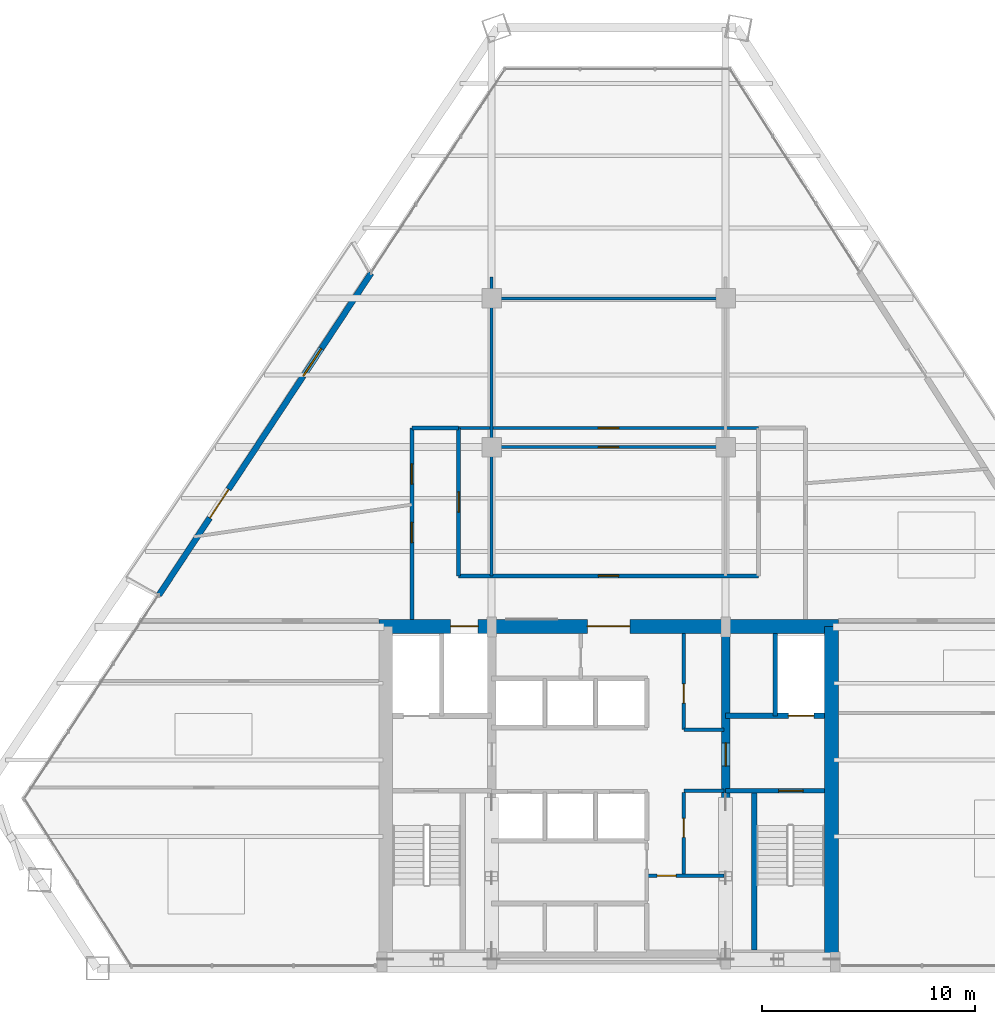
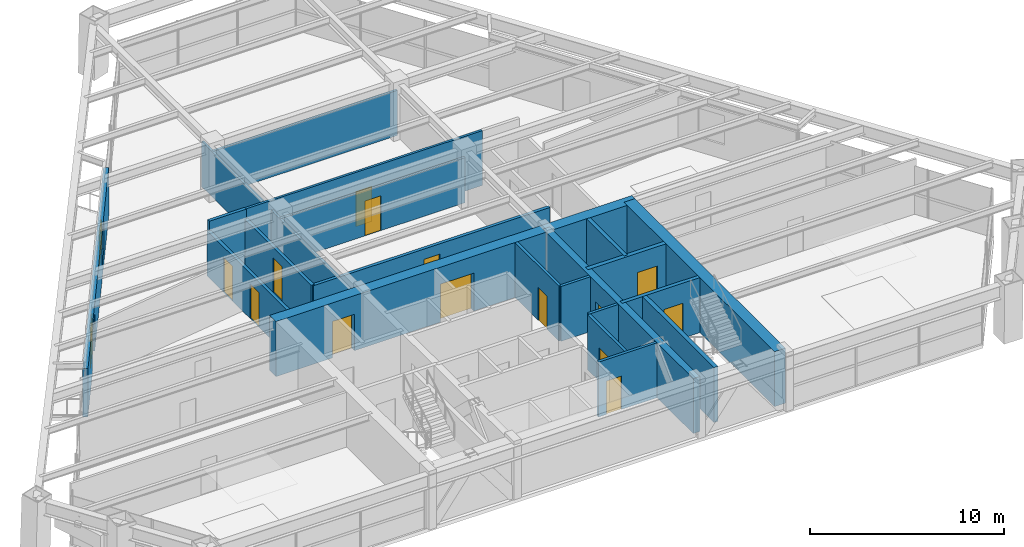
# One storey, part 11 of 14: 21 walls, 15 doors, 1 window, 16 openings.
"""IFC4 building model written with IfcOpenShell, lengths in metres."""

from ifc_helpers import new_model, si_unit, direction, frame, frame_2d, origin, place, context, subcontext, project, spatial, rectangle, extrude, source, transform, mapped, material, layer, layer_set, type_object, type_shapes, element, fill, save


model = new_model("IFC4")

# Units and contexts
model_context = context("Model", 3, precision=1e-05, world=origin(), true_north=direction((0.0, 1.0)))
body_context = subcontext(model_context, "Body", "Model", "MODEL_VIEW")
ifc_project = project(units=[si_unit("LENGTHUNIT", "METRE"), si_unit("AREAUNIT", "SQUARE_METRE"), si_unit("VOLUMEUNIT", "CUBIC_METRE"), si_unit("PLANEANGLEUNIT", "RADIAN"), si_unit("MASSUNIT", "GRAM", prefix="KILO")], contexts=[model_context])

# Site, building, storey
site_placement = place(None, origin())
site = spatial("IfcSite", under=ifc_project, at=site_placement, CompositionType="ELEMENT")
building_placement = place(site_placement, origin())
building = spatial("IfcBuilding", under=site, at=building_placement, Name="Varnakhor Terracotta Tower", CompositionType="ELEMENT")
storey_placement = place(building_placement, frame((0.0, 0.0, 125.60009765625)))
storey = spatial("IfcBuildingStorey", under=building, at=storey_placement, Name="L31", CompositionType="ELEMENT", Elevation=125.60009765625)

# Wall, openings, doors
ifc_material_1 = material(Name="Concrete C50/60", Category="concrete")
ifc_layer_1 = layer(ifc_material_1, 0.64990234375, Name="Concrete C50/60")
ifc_layer_set_1 = layer_set([ifc_layer_1], Name="Concrete C50/60")
wall_type_1 = type_object("IfcWallType", Name="WAL-CORE-650", PredefinedType="SHEAR", material=ifc_layer_set_1)
wall_1_placement = place(storey_placement, frame((-10.800048828125, 16.074951171875, 0.0), z_axis=(0.0, 0.0, 1.0), x_axis=(1.0, 0.0, 0.0)))
wall_1 = element("IfcWall", 1, at=wall_1_placement, inside=storey, type_object=wall_type_1, Name="L31 North Core Shear Wall", PredefinedType="SHEAR", context=body_context, shape_type="SweptSolid", body=[
    extrude(rectangle(XDim=21.60009765625, YDim=0.64990234375, at=frame_2d((10.800048828125, 0.0))), origin(), (0.0, 0.0, 1.0), 3.469970703125),
])
opening_1_placement = place(wall_1_placement, frame((3.3701171875, 0.0, 0.0)))
opening_1 = element("IfcOpeningElement", 2, at=opening_1_placement, cuts=wall_1, Name="Opening LD-03", PredefinedType="OPENING", context=body_context, shape_type="SweptSolid", body=[
    extrude(rectangle(XDim=1.300048828125, YDim=2.300048828125, at=frame_2d((0.64990234375, 1.14990234375))), frame((0.0, 0.3349609375, 0.0), z_axis=(0.0, -1.0, 0.0), x_axis=(1.0, 0.0, 0.0)), (0.0, 0.0, 1.0), 0.669921875),
])
opening_2_placement = place(wall_1_placement, frame((9.800048828125, 0.0, 0.0)))
opening_2 = element("IfcOpeningElement", 3, at=opening_2_placement, cuts=wall_1, Name="Opening DR-32", PredefinedType="OPENING", context=body_context, shape_type="SweptSolid", body=[
    extrude(rectangle(XDim=2.0, YDim=2.39990234375, at=frame_2d((1.0, 1.199951171875))), frame((0.0, 0.3349609375, 0.0), z_axis=(0.0, -1.0, 0.0), x_axis=(1.0, 0.0, 0.0)), (0.0, 0.0, 1.0), 0.669921875),
])
ifc_material_2 = material(Name="Heavy-Duty Goods Sliding Lift Landing Door", Category="steel")
door_type_1 = type_object("IfcDoorType", Name="LD-SRV-1300X2300", OperationType="NOTDEFINED", PredefinedType="DOOR", material=ifc_material_2)
shared_shape_1 = source(origin(), body_context, "Body", "SweptSolid", [
    extrude(rectangle(XDim=1.300048828125, YDim=2.300048828125, at=frame_2d((0.64990234375, 1.14990234375))), frame((0.0, 0.02490234375, 0.0), z_axis=(0.0, -1.0, 0.0), x_axis=(1.0, 0.0, 0.0)), (0.0, 0.0, 1.0), 0.050048828125),
])
type_shapes(door_type_1, [shared_shape_1])
door_1_placement = place(opening_1_placement, origin())
door_1 = element("IfcDoor", 4, at=door_1_placement, inside=storey, type_object=door_type_1, Name="L31 Service Lift SVL-1 Landing Door", OperationType="SLIDING_TO_RIGHT", OverallHeight=2.300048828125, OverallWidth=1.300048828125, PredefinedType="DOOR", context=body_context, shape_type="MappedRepresentation", body=[
    mapped(shared_shape_1, transform((0.0, 0.0, 0.0), scale=1.0)),
])
fill(opening_1, door_1)
ifc_material_3 = material(Name="Acoustic Double Assembly Fire Door", Category="wood")
door_type_2 = type_object("IfcDoorType", Name="DR-HALL-2000X2400", OperationType="NOTDEFINED", PredefinedType="DOOR", material=ifc_material_3)
shared_shape_2 = source(origin(), body_context, "Body", "SweptSolid", [
    extrude(rectangle(XDim=2.0, YDim=2.39990234375, at=frame_2d((1.0, 1.199951171875))), frame((0.0, 0.02490234375, 0.0), z_axis=(0.0, -1.0, 0.0), x_axis=(1.0, 0.0, 0.0)), (0.0, 0.0, 1.0), 0.050048828125),
])
type_shapes(door_type_2, [shared_shape_2])
door_2_placement = place(opening_2_placement, origin())
door_2 = element("IfcDoor", 5, at=door_2_placement, inside=storey, type_object=door_type_2, Name="L31 Core Main Lobby Double Door", OperationType="DOUBLE_DOOR_SINGLE_SWING", OverallHeight=2.39990234375, OverallWidth=2.0, PredefinedType="DOOR", context=body_context, shape_type="MappedRepresentation", body=[
    mapped(shared_shape_2, transform((0.0, 0.0, 0.0), scale=1.0)),
])
fill(opening_2, door_2)

# Wall
wall_2_placement = place(storey_placement, frame((10.47509765625, 0.52490234375, 0.0), z_axis=(0.0, 0.0, 1.0), x_axis=(0.0, 1.0, 0.0)))
element("IfcWall", 6, at=wall_2_placement, inside=storey, type_object=wall_type_1, Name="L31 East Core Shear Wall", PredefinedType="SHEAR", context=body_context, shape_type="SweptSolid", body=[
    extrude(rectangle(XDim=15.550048828125, YDim=0.64990234375, at=frame_2d((7.77490234375, 0.0))), origin(), (0.0, 0.0, 1.0), 3.469970703125),
])

# Wall, opening, door
ifc_layer_2 = layer(ifc_material_1, 0.39990234375, Name="Concrete C50/60")
ifc_layer_set_2 = layer_set([ifc_layer_2], Name="Concrete C50/60")
wall_type_2 = type_object("IfcWallType", Name="WAL-CORE-WEB-400", PredefinedType="SHEAR", material=ifc_layer_set_2)
wall_3_placement = place(storey_placement, frame((5.5, 0.52490234375, 0.0), z_axis=(0.0, 0.0, 1.0), x_axis=(0.0, 1.0, 0.0)))
wall_3 = element("IfcWall", 7, at=wall_3_placement, inside=storey, type_object=wall_type_2, Name="L31 East Core Web Shear Wall", PredefinedType="SHEAR", context=body_context, shape_type="SweptSolid", body=[
    extrude(rectangle(XDim=15.550048828125, YDim=0.39990234375, at=frame_2d((7.77490234375, 0.0))), origin(), (0.0, 0.0, 1.0), 3.469970703125),
])
opening_3_placement = place(wall_3_placement, frame((8.97509765625, 0.0, 0.0)))
opening_3 = element("IfcOpeningElement", 8, at=opening_3_placement, cuts=wall_3, Name="Opening DR-25", PredefinedType="OPENING", context=body_context, shape_type="SweptSolid", body=[
    extrude(rectangle(XDim=1.10009765625, YDim=2.199951171875, at=frame_2d((0.550048828125, 1.10009765625))), frame((0.0, 0.2099609375, 0.0), z_axis=(0.0, -1.0, 0.0), x_axis=(1.0, 0.0, 0.0)), (0.0, 0.0, 1.0), 0.419921875),
])
ifc_material_4 = material(Name="Firefighting Lobby Self-Closing Fire Door", Category="steel")
door_type_3 = type_object("IfcDoorType", Name="DR-FFL-1100X2200", OperationType="NOTDEFINED", PredefinedType="DOOR", material=ifc_material_4)
shared_shape_3 = source(origin(), body_context, "Body", "SweptSolid", [
    extrude(rectangle(XDim=1.10009765625, YDim=2.199951171875, at=frame_2d((0.550048828125, 1.10009765625))), frame((0.0, 0.02490234375, 0.0), z_axis=(0.0, -1.0, 0.0), x_axis=(1.0, 0.0, 0.0)), (0.0, 0.0, 1.0), 0.050048828125),
])
type_shapes(door_type_3, [shared_shape_3])
door_3_placement = place(opening_3_placement, origin())
door_3 = element("IfcDoor", 9, at=door_3_placement, inside=storey, type_object=door_type_3, Name="L31 East Firefighting Lobby Door", OperationType="SINGLE_SWING_LEFT", OverallHeight=2.199951171875, OverallWidth=1.10009765625, PredefinedType="DOOR", context=body_context, shape_type="MappedRepresentation", body=[
    mapped(shared_shape_3, transform((0.0, 0.0, 0.0), scale=1.0)),
])
fill(opening_3, door_3)

ifc_material_5 = material(Name="Fire-Rated Gypsum Stud Partition", Category="gypsum")
ifc_layer_3 = layer(ifc_material_5, 0.18505859375, Name="Fire-Rated Gypsum Stud Partition")
ifc_layer_set_3 = layer_set([ifc_layer_3], Name="Fire-Rated Gypsum Stud Partition")
wall_type_3 = type_object("IfcWallType", Name="WAL-CORR-185", PredefinedType="PARTITIONING", material=ifc_layer_set_3)
wall_4_placement = place(storey_placement, frame((-7.050048828125, 18.449951171875, 0.0), z_axis=(0.0, 0.0, 1.0), x_axis=(1.0, 0.0, 0.0)))
wall_4 = element("IfcWall", 10, at=wall_4_placement, inside=storey, type_object=wall_type_3, Name="L31 Central Gallery Link Wall", PredefinedType="PARTITIONING", context=body_context, shape_type="SweptSolid", body=[
    extrude(rectangle(XDim=14.10009765625, YDim=0.18505859375, at=frame_2d((7.050048828125, 0.0))), origin(), (0.0, 0.0, 1.0), 2.845947265625),
])
opening_4_placement = place(wall_4_placement, frame((6.574951171875, 0.0, 0.0)))
opening_4 = element("IfcOpeningElement", 11, at=opening_4_placement, cuts=wall_4, Name="Opening DR-94", PredefinedType="OPENING", context=body_context, shape_type="SweptSolid", body=[
    extrude(rectangle(XDim=0.949951171875, YDim=2.199951171875, at=frame_2d((0.47509765625, 1.10009765625))), frame((0.0, 0.1025390625, 0.0), z_axis=(0.0, -1.0, 0.0), x_axis=(1.0, 0.0, 0.0)), (0.0, 0.0, 1.0), 0.205078125),
])
ifc_material_6 = material(Name="Acoustic Glazed-Vision Timber Office Door", Category="wood")
door_type_4 = type_object("IfcDoorType", Name="DR-OFF-950X2200", OperationType="NOTDEFINED", PredefinedType="DOOR", material=ifc_material_6)
shared_shape_4 = source(origin(), body_context, "Body", "SweptSolid", [
    extrude(rectangle(XDim=0.949951171875, YDim=2.199951171875, at=frame_2d((0.47509765625, 1.10009765625))), frame((0.0, 0.02490234375, 0.0), z_axis=(0.0, -1.0, 0.0), x_axis=(1.0, 0.0, 0.0)), (0.0, 0.0, 1.0), 0.050048828125),
])
type_shapes(door_type_4, [shared_shape_4])
door_4_placement = place(opening_4_placement, origin())
door_4 = element("IfcDoor", 12, at=door_4_placement, inside=storey, type_object=door_type_4, Name="L31 Center Suite Door", OperationType="SINGLE_SWING_LEFT", OverallHeight=2.199951171875, OverallWidth=0.949951171875, PredefinedType="DOOR", context=body_context, shape_type="MappedRepresentation", body=[
    mapped(shared_shape_4, transform((0.0, 0.0, 0.0), scale=1.0)),
])
fill(opening_4, door_4)

wall_5_placement = place(storey_placement, frame((-7.050048828125, 18.449951171875, 0.0), z_axis=(0.0, 0.0, 1.0), x_axis=(0.0, 1.0, 0.0)))
wall_5 = element("IfcWall", 13, at=wall_5_placement, inside=storey, type_object=wall_type_3, Name="L31 West Gallery Inner Wall", PredefinedType="PARTITIONING", context=body_context, shape_type="SweptSolid", body=[
    extrude(rectangle(XDim=6.949951171875, YDim=0.18505859375, at=frame_2d((3.47509765625, 0.0))), origin(), (0.0, 0.0, 1.0), 2.845947265625),
])
opening_5_placement = place(wall_5_placement, frame((3.0, 0.0, 0.0)))
opening_5 = element("IfcOpeningElement", 14, at=opening_5_placement, cuts=wall_5, Name="Opening DR-94", PredefinedType="OPENING", context=body_context, shape_type="SweptSolid", body=[
    extrude(rectangle(XDim=0.949951171875, YDim=2.199951171875, at=frame_2d((0.47509765625, 1.10009765625))), frame((0.0, 0.1025390625, 0.0), z_axis=(0.0, -1.0, 0.0), x_axis=(1.0, 0.0, 0.0)), (0.0, 0.0, 1.0), 0.205078125),
])
door_5_placement = place(opening_5_placement, origin())
door_5 = element("IfcDoor", 15, at=door_5_placement, inside=storey, type_object=door_type_4, Name="L31 Corporate Office W1 B10 Door", OperationType="SINGLE_SWING_RIGHT", OverallHeight=2.199951171875, OverallWidth=0.949951171875, PredefinedType="DOOR", context=body_context, shape_type="MappedRepresentation", body=[
    mapped(shared_shape_4, transform((0.0, 0.0, 0.0), scale=1.0)),
])
fill(opening_5, door_5)

# Wall, openings, doors
wall_6_placement = place(storey_placement, frame((-9.25, 16.39990234375, 0.0), z_axis=(0.0, 0.0, 1.0), x_axis=(0.0, 1.0, 0.0)))
wall_6 = element("IfcWall", 16, at=wall_6_placement, inside=storey, type_object=wall_type_3, Name="L31 West Gallery Outer Wall", PredefinedType="PARTITIONING", context=body_context, shape_type="SweptSolid", body=[
    extrude(rectangle(XDim=9.0, YDim=0.18505859375, at=frame_2d((4.5, 0.0))), origin(), (0.0, 0.0, 1.0), 2.845947265625),
])
opening_6_placement = place(wall_6_placement, frame((3.60888671875, 0.0, 0.0)))
opening_6 = element("IfcOpeningElement", 17, at=opening_6_placement, cuts=wall_6, Name="Opening DR-94", PredefinedType="OPENING", context=body_context, shape_type="SweptSolid", body=[
    extrude(rectangle(XDim=0.949951171875, YDim=2.199951171875, at=frame_2d((0.47509765625, 1.10009765625))), frame((0.0, 0.1025390625, 0.0), z_axis=(0.0, -1.0, 0.0), x_axis=(1.0, 0.0, 0.0)), (0.0, 0.0, 1.0), 0.205078125),
])
opening_7_placement = place(wall_6_placement, frame((6.3681640625, 0.0, 0.0)))
opening_7 = element("IfcOpeningElement", 18, at=opening_7_placement, cuts=wall_6, Name="Opening DR-94", PredefinedType="OPENING", context=body_context, shape_type="SweptSolid", body=[
    extrude(rectangle(XDim=0.949951171875, YDim=2.199951171875, at=frame_2d((0.47509765625, 1.10009765625))), frame((0.0, 0.1025390625, 0.0), z_axis=(0.0, -1.0, 0.0), x_axis=(1.0, 0.0, 0.0)), (0.0, 0.0, 1.0), 0.205078125),
])
door_6_placement = place(opening_6_placement, origin())
door_6 = element("IfcDoor", 19, at=door_6_placement, inside=storey, type_object=door_type_4, Name="L31 West Wing Door", OperationType="SINGLE_SWING_RIGHT", OverallHeight=2.199951171875, OverallWidth=0.949951171875, PredefinedType="DOOR", context=body_context, shape_type="MappedRepresentation", body=[
    mapped(shared_shape_4, transform((0.0, 0.0, 0.0), scale=1.0)),
])
fill(opening_6, door_6)
door_7_placement = place(opening_7_placement, origin())
door_7 = element("IfcDoor", 20, at=door_7_placement, inside=storey, type_object=door_type_4, Name="L31 Corporate Office W2 Door", OperationType="SINGLE_SWING_LEFT", OverallHeight=2.199951171875, OverallWidth=0.949951171875, PredefinedType="DOOR", context=body_context, shape_type="MappedRepresentation", body=[
    mapped(shared_shape_4, transform((0.0, 0.0, 0.0), scale=1.0)),
])
fill(opening_7, door_7)

# Wall
wall_7_placement = place(storey_placement, frame((-9.25, 25.39990234375, 0.0), z_axis=(0.0, 0.0, 1.0), x_axis=(1.0, 0.0, 0.0)))
element("IfcWall", 21, at=wall_7_placement, inside=storey, type_object=wall_type_3, Name="L31 West Gallery North End", PredefinedType="PARTITIONING", context=body_context, shape_type="SweptSolid", body=[
    extrude(rectangle(XDim=2.199951171875, YDim=0.18505859375, at=frame_2d((1.10009765625, 0.0))), origin(), (0.0, 0.0, 1.0), 3.4619140625),
])

# Wall, openings, door, window
ifc_material_7 = material(Name="Extruded Architectural Terracotta Assembly", Category="masonry")
ifc_layer_4 = layer(ifc_material_7, 0.280029296875, Name="Extruded Architectural Terracotta Assembly")
ifc_layer_set_4 = layer_set([ifc_layer_4], Name="Extruded Architectural Terracotta Assembly")
wall_type_4 = type_object("IfcWallType", Name="WAL-EXT-TERRACOTTA-280", PredefinedType="SOLIDWALL", material=ifc_layer_set_4)
wall_8_placement = place(storey_placement, frame((-21.140869140625, 17.54296875, 0.0), z_axis=(0.0, 0.0, 1.0), x_axis=(0.550355807865, 0.834930227474, 0.0)))
wall_8 = element("IfcWall", 22, at=wall_8_placement, inside=storey, type_object=wall_type_4, Name="L31 W Loggia Insulated Terracotta Wall", PredefinedType="SOLIDWALL", context=body_context, shape_type="SweptSolid", body=[
    extrude(rectangle(XDim=18.135498046875, YDim=0.280029296875, at=frame_2d((9.06787109375, 0.0))), origin(), (0.0, 0.0, 1.0), 3.0498046875),
])
opening_8_placement = place(wall_8_placement, frame((4.3525390625, 0.0, 0.0)))
opening_8 = element("IfcOpeningElement", 23, at=opening_8_placement, cuts=wall_8, Name="Opening DR-62", PredefinedType="OPENING", context=body_context, shape_type="SweptSolid", body=[
    extrude(rectangle(XDim=1.60009765625, YDim=2.35009765625, at=frame_2d((0.800048828125, 1.175048828125))), frame((0.0, 0.14990234375, 0.0), z_axis=(0.0, -1.0, 0.0), x_axis=(1.0, 0.0, 0.0)), (0.0, 0.0, 1.0), 0.300048828125),
])
opening_9_placement = place(wall_8_placement, frame((12.33203125, 0.0, 0.89990234375)))
opening_9 = element("IfcOpeningElement", 24, at=opening_9_placement, cuts=wall_8, Name="Opening WN-57", PredefinedType="OPENING", context=body_context, shape_type="SweptSolid", body=[
    extrude(rectangle(XDim=1.550048828125, YDim=1.85009765625, at=frame_2d((0.77490234375, 0.925048828125))), frame((0.0, 0.14990234375, 0.0), z_axis=(0.0, -1.0, 0.0), x_axis=(1.0, 0.0, 0.0)), (0.0, 0.0, 1.0), 0.300048828125),
])
ifc_material_8 = material(Name="Thermally Broken Sliding Glass Loggia Door", Category="glass")
door_type_5 = type_object("IfcDoorType", Name="DR-EXT-LOGGIA-1600X2350", OperationType="NOTDEFINED", PredefinedType="DOOR", material=ifc_material_8)
shared_shape_5 = source(origin(), body_context, "Body", "SweptSolid", [
    extrude(rectangle(XDim=1.60009765625, YDim=2.35009765625, at=frame_2d((0.800048828125, 1.175048828125))), frame((0.0, 0.02490234375, 0.0), z_axis=(0.0, -1.0, 0.0), x_axis=(1.0, 0.0, 0.0)), (0.0, 0.0, 1.0), 0.050048828125),
])
type_shapes(door_type_5, [shared_shape_5])
door_8_placement = place(opening_8_placement, origin())
door_8 = element("IfcDoor", 25, at=door_8_placement, inside=storey, type_object=door_type_5, Name="L31 W Recessed Loggia Sliding Door", OperationType="SLIDING_TO_LEFT", OverallHeight=2.35009765625, OverallWidth=1.60009765625, PredefinedType="DOOR", context=body_context, shape_type="MappedRepresentation", body=[
    mapped(shared_shape_5, transform((0.0, 0.0, 0.0), scale=1.0)),
])
fill(opening_8, door_8)
ifc_material_9 = material(Name="Solar-Control Low-E Insulated Glass Unit", Category="glass")
window_type = type_object("IfcWindowType", Name="WIN-OFF-1650X2100", PartitioningType="SINGLE_PANEL", PredefinedType="WINDOW", material=ifc_material_9)
shared_shape_6 = source(origin(), body_context, "Body", "SweptSolid", [
    extrude(rectangle(XDim=1.550048828125, YDim=1.85009765625, at=frame_2d((0.77490234375, 0.925048828125))), frame((0.0, 0.030029296875, 0.0), z_axis=(0.0, -1.0, 0.0), x_axis=(1.0, 0.0, 0.0)), (0.0, 0.0, 1.0), 0.06005859375),
])
type_shapes(window_type, [shared_shape_6])
window_placement = place(opening_9_placement, origin())
window = element("IfcWindow", 26, at=window_placement, inside=storey, type_object=window_type, Name="L31 W Facet Punched Window", OverallHeight=1.85009765625, OverallWidth=1.550048828125, PartitioningType="SINGLE_PANEL", PredefinedType="WINDOW", context=body_context, shape_type="MappedRepresentation", body=[
    mapped(shared_shape_6, transform((0.0, 0.0, 0.0), scale=1.0)),
])
fill(opening_9, window)

# Wall, opening, door
ifc_material_10 = material(Name="Concrete C40/50", Category="concrete")
ifc_layer_5 = layer(ifc_material_10, 0.219970703125, Name="Concrete C40/50")
ifc_layer_set_5 = layer_set([ifc_layer_5], Name="Concrete C40/50")
wall_type_5 = type_object("IfcWallType", Name="WAL-FFLOBBY-220", PredefinedType="SOLIDWALL", material=ifc_layer_set_5)
wall_9_placement = place(storey_placement, frame((10.14990234375, 8.35009765625, 0.0), z_axis=(0.0, 0.0, 1.0), x_axis=(-1.0, 0.0, 0.0)))
wall_9 = element("IfcWall", 27, at=wall_9_placement, inside=storey, type_object=wall_type_5, Name="L31 East Firefighting Lobby Stair Wall", PredefinedType="SOLIDWALL", context=body_context, shape_type="SweptSolid", body=[
    extrude(rectangle(XDim=4.64990234375, YDim=0.219970703125, at=frame_2d((2.324951171875, 0.0))), origin(), (0.0, 0.0, 1.0), 3.469970703125),
])
opening_10_placement = place(wall_9_placement, frame((1.0, 0.0, 0.0)))
opening_10 = element("IfcOpeningElement", 28, at=opening_10_placement, cuts=wall_9, Name="Opening DR-34", PredefinedType="OPENING", context=body_context, shape_type="SweptSolid", body=[
    extrude(rectangle(XDim=1.14990234375, YDim=2.199951171875, at=frame_2d((0.574951171875, 1.10009765625))), frame((0.0, 0.1201171875, 0.0), z_axis=(0.0, -1.0, 0.0), x_axis=(1.0, 0.0, 0.0)), (0.0, 0.0, 1.0), 0.239990234375),
])
ifc_material_11 = material(Name="Self-Closing Smoke-Sealed Steel Fire Door", Category="steel")
door_type_6 = type_object("IfcDoorType", Name="DR-STAIR-1150X2200", OperationType="NOTDEFINED", PredefinedType="DOOR", material=ifc_material_11)
shared_shape_7 = source(origin(), body_context, "Body", "SweptSolid", [
    extrude(rectangle(XDim=1.14990234375, YDim=2.199951171875, at=frame_2d((0.574951171875, 1.10009765625))), frame((0.0, 0.02490234375, 0.0), z_axis=(0.0, -1.0, 0.0), x_axis=(1.0, 0.0, 0.0)), (0.0, 0.0, 1.0), 0.050048828125),
])
type_shapes(door_type_6, [shared_shape_7])
door_9_placement = place(opening_10_placement, origin())
door_9 = element("IfcDoor", 29, at=door_9_placement, inside=storey, type_object=door_type_6, Name="L31 Exit Stair ST-2 Fire Door", OperationType="SINGLE_SWING_RIGHT", OverallHeight=2.199951171875, OverallWidth=1.14990234375, PredefinedType="DOOR", context=body_context, shape_type="MappedRepresentation", body=[
    mapped(shared_shape_7, transform((0.0, 0.0, 0.0), scale=1.0)),
])
fill(opening_10, door_9)

ifc_material_12 = material(Name="Acoustic Metal-Stud Partition", Category="gypsum")
ifc_layer_6 = layer(ifc_material_12, 0.139892578125, Name="Acoustic Metal-Stud Partition")
ifc_layer_set_6 = layer_set([ifc_layer_6], Name="Acoustic Metal-Stud Partition")
wall_type_6 = type_object("IfcWallType", Name="WAL-PART-140", PredefinedType="PARTITIONING", material=ifc_layer_set_6)
wall_10_placement = place(storey_placement, frame((-7.050048828125, 25.39990234375, 0.0), z_axis=(0.0, 0.0, 1.0), x_axis=(1.0, 0.0, 0.0)))
wall_10 = element("IfcWall", 30, at=wall_10_placement, inside=storey, type_object=wall_type_6, Name="L31 Gallery Center Cap Wall", PredefinedType="PARTITIONING", context=body_context, shape_type="SweptSolid", body=[
    extrude(rectangle(XDim=14.10009765625, YDim=0.139892578125, at=frame_2d((7.050048828125, 0.0))), origin(), (0.0, 0.0, 1.0), 3.4619140625),
])
opening_11_placement = place(wall_10_placement, frame((6.574951171875, 0.0, 0.0)))
opening_11 = element("IfcOpeningElement", 31, at=opening_11_placement, cuts=wall_10, Name="Opening DR-94", PredefinedType="OPENING", context=body_context, shape_type="SweptSolid", body=[
    extrude(rectangle(XDim=0.949951171875, YDim=2.199951171875, at=frame_2d((0.47509765625, 1.10009765625))), frame((0.0, 0.080078125, 0.0), z_axis=(0.0, -1.0, 0.0), x_axis=(1.0, 0.0, 0.0)), (0.0, 0.0, 1.0), 0.159912109375),
])
door_10_placement = place(opening_11_placement, origin())
door_10 = element("IfcDoor", 32, at=door_10_placement, inside=storey, type_object=door_type_4, Name="L31 Corporate Office E2 B13 Door", OperationType="SINGLE_SWING_LEFT", OverallHeight=2.199951171875, OverallWidth=0.949951171875, PredefinedType="DOOR", context=body_context, shape_type="MappedRepresentation", body=[
    mapped(shared_shape_4, transform((0.0, 0.0, 0.0), scale=1.0)),
])
fill(opening_11, door_10)

# Wall
wall_11_placement = place(storey_placement, frame((-5.5, 18.449951171875, 0.0), z_axis=(0.0, 0.0, 1.0), x_axis=(0.0, 1.0, 0.0)))
element("IfcWall", 33, at=wall_11_placement, inside=storey, type_object=wall_type_6, Name="L31 Center West Column Wall", PredefinedType="PARTITIONING", context=body_context, shape_type="SweptSolid", body=[
    extrude(rectangle(XDim=14.050048828125, YDim=0.139892578125, at=frame_2d((7.02490234375, 0.0))), origin(), (0.0, 0.0, 1.0), 2.845947265625),
])

# Wall, opening, door
wall_12_placement = place(storey_placement, frame((-5.5, 24.5, 0.0), z_axis=(0.0, 0.0, 1.0), x_axis=(1.0, 0.0, 0.0)))
wall_12 = element("IfcWall", 34, at=wall_12_placement, inside=storey, type_object=wall_type_6, Name="L31 Center Cross Cut 1", PredefinedType="PARTITIONING", context=body_context, shape_type="SweptSolid", body=[
    extrude(rectangle(XDim=11.0, YDim=0.139892578125, at=frame_2d((5.5, 0.0))), origin(), (0.0, 0.0, 1.0), 2.845947265625),
])
opening_12_placement = place(wall_12_placement, frame((5.02490234375, 0.0, 0.0)))
opening_12 = element("IfcOpeningElement", 35, at=opening_12_placement, cuts=wall_12, Name="Opening DR-94", PredefinedType="OPENING", context=body_context, shape_type="SweptSolid", body=[
    extrude(rectangle(XDim=0.949951171875, YDim=2.199951171875, at=frame_2d((0.47509765625, 1.10009765625))), frame((0.0, 0.080078125, 0.0), z_axis=(0.0, -1.0, 0.0), x_axis=(1.0, 0.0, 0.0)), (0.0, 0.0, 1.0), 0.159912109375),
])
door_11_placement = place(opening_12_placement, origin())
door_11 = element("IfcDoor", 36, at=door_11_placement, inside=storey, type_object=door_type_4, Name="L31 Executive Office N1 Door", OperationType="SINGLE_SWING_RIGHT", OverallHeight=2.199951171875, OverallWidth=0.949951171875, PredefinedType="DOOR", context=body_context, shape_type="MappedRepresentation", body=[
    mapped(shared_shape_4, transform((0.0, 0.0, 0.0), scale=1.0)),
])
fill(opening_12, door_11)

# Walls
wall_13_placement = place(storey_placement, frame((-5.5, 31.5, 0.0), z_axis=(0.0, 0.0, 1.0), x_axis=(1.0, 0.0, 0.0)))
element("IfcWall", 37, at=wall_13_placement, inside=storey, type_object=wall_type_6, Name="L31 Center Cross Cut 2", PredefinedType="PARTITIONING", context=body_context, shape_type="SweptSolid", body=[
    extrude(rectangle(XDim=11.0, YDim=0.139892578125, at=frame_2d((5.5, 0.0))), origin(), (0.0, 0.0, 1.0), 2.845947265625),
])
ifc_layer_7 = layer(ifc_material_10, 0.219970703125, Name="Concrete C40/50")
ifc_layer_set_7 = layer_set([ifc_layer_7], Name="Concrete C40/50")
wall_type_7 = type_object("IfcWallType", Name="WAL-SHAFT-220", PredefinedType="SOLIDWALL", material=ifc_layer_set_7)
wall_14_placement = place(storey_placement, frame((7.840087890625, 11.8701171875, 0.0), z_axis=(0.0, 0.0, 1.0), x_axis=(0.0, 1.0, 0.0)))
element("IfcWall", 38, at=wall_14_placement, inside=storey, type_object=wall_type_7, Name="L31 Lift FFL-2 and Riser Divider Wall", PredefinedType="SOLIDWALL", context=body_context, shape_type="SweptSolid", body=[
    extrude(rectangle(XDim=3.8798828125, YDim=0.219970703125, at=frame_2d((1.93994140625, 0.0))), origin(), (0.0, 0.0, 1.0), 3.469970703125),
])
ifc_layer_8 = layer(ifc_material_10, 0.25, Name="Concrete C40/50")
ifc_layer_set_8 = layer_set([ifc_layer_8], Name="Concrete C40/50")
wall_type_8 = type_object("IfcWallType", Name="WAL-SHAFT-250", PredefinedType="SOLIDWALL", material=ifc_layer_set_8)
wall_15_placement = place(storey_placement, frame((6.85009765625, 0.85009765625, 0.0), z_axis=(0.0, 0.0, 1.0), x_axis=(0.0, 1.0, 0.0)))
element("IfcWall", 39, at=wall_15_placement, inside=storey, type_object=wall_type_8, Name="L31 Stair ST-2 Bearing Shaft Wall", PredefinedType="SOLIDWALL", context=body_context, shape_type="SweptSolid", body=[
    extrude(rectangle(XDim=7.5, YDim=0.25, at=frame_2d((3.75, 0.0))), origin(), (0.0, 0.0, 1.0), 3.469970703125),
])

# Wall, opening, door
wall_16_placement = place(storey_placement, frame((10.14990234375, 11.8701171875, 0.0), z_axis=(0.0, 0.0, 1.0), x_axis=(-1.0, 0.0, 0.0)))
wall_16 = element("IfcWall", 40, at=wall_16_placement, inside=storey, type_object=wall_type_8, Name="L31 Lift FFL-2 Shaft Front Wall", PredefinedType="SOLIDWALL", context=body_context, shape_type="SweptSolid", body=[
    extrude(rectangle(XDim=4.64990234375, YDim=0.25, at=frame_2d((2.324951171875, 0.0))), origin(), (0.0, 0.0, 1.0), 3.469970703125),
])
opening_13_placement = place(wall_16_placement, frame((0.5, 0.0, 0.0)))
opening_13 = element("IfcOpeningElement", 41, at=opening_13_placement, cuts=wall_16, Name="Opening LD-02", PredefinedType="OPENING", context=body_context, shape_type="SweptSolid", body=[
    extrude(rectangle(XDim=1.199951171875, YDim=2.25, at=frame_2d((0.60009765625, 1.125))), frame((0.0, 0.135009765625, 0.0), z_axis=(0.0, -1.0, 0.0), x_axis=(1.0, 0.0, 0.0)), (0.0, 0.0, 1.0), 0.27001953125),
])
ifc_material_13 = material(Name="Firefighting Stretcher Sliding Lift Landing Door", Category="steel")
door_type_7 = type_object("IfcDoorType", Name="LD-FFL-1200X2250", OperationType="NOTDEFINED", PredefinedType="DOOR", material=ifc_material_13)
shared_shape_8 = source(origin(), body_context, "Body", "SweptSolid", [
    extrude(rectangle(XDim=1.199951171875, YDim=2.25, at=frame_2d((0.60009765625, 1.125))), frame((0.0, 0.02490234375, 0.0), z_axis=(0.0, -1.0, 0.0), x_axis=(1.0, 0.0, 0.0)), (0.0, 0.0, 1.0), 0.050048828125),
])
type_shapes(door_type_7, [shared_shape_8])
door_12_placement = place(opening_13_placement, origin())
door_12 = element("IfcDoor", 42, at=door_12_placement, inside=storey, type_object=door_type_7, Name="L31 Firefighting Lift FFL-2 Landing Door", OperationType="SLIDING_TO_RIGHT", OverallHeight=2.25, OverallWidth=1.199951171875, PredefinedType="DOOR", context=body_context, shape_type="MappedRepresentation", body=[
    mapped(shared_shape_8, transform((0.0, 0.0, 0.0), scale=1.0)),
])
fill(opening_13, door_12)

ifc_material_14 = material(Name="Acoustic Fire-Rated Partition", Category="gypsum")
ifc_layer_9 = layer(ifc_material_14, 0.1650390625, Name="Acoustic Fire-Rated Partition")
ifc_layer_set_9 = layer_set([ifc_layer_9], Name="Acoustic Fire-Rated Partition")
wall_type_9 = type_object("IfcWallType", Name="WAL-TENANCY-165", PredefinedType="PARTITIONING", material=ifc_layer_set_9)
wall_17_placement = place(storey_placement, frame((3.5400390625, 4.4326171875, 0.0), z_axis=(0.0, 0.0, 1.0), x_axis=(0.0, 1.0, 0.0)))
wall_17 = element("IfcWall", 43, at=wall_17_placement, inside=storey, type_object=wall_type_9, Name="L31 Core Service Rated Wall", PredefinedType="PARTITIONING", context=body_context, shape_type="SweptSolid", body=[
    extrude(rectangle(XDim=3.824951171875, YDim=0.1650390625, at=frame_2d((1.91259765625, 0.0))), origin(), (0.0, 0.0, 1.0), 3.4619140625),
])
opening_14_placement = place(wall_17_placement, frame((1.72119140625, 0.0, 0.0)))
opening_14 = element("IfcOpeningElement", 44, at=opening_14_placement, cuts=wall_17, Name="Opening DR-67", PredefinedType="OPENING", context=body_context, shape_type="SweptSolid", body=[
    extrude(rectangle(XDim=0.89990234375, YDim=2.10009765625, at=frame_2d((0.449951171875, 1.050048828125))), frame((0.0, 0.092529296875, 0.0), z_axis=(0.0, -1.0, 0.0), x_axis=(1.0, 0.0, 0.0)), (0.0, 0.0, 1.0), 0.18505859375),
])
ifc_material_15 = material(Name="Steel Service Riser Fire Door", Category="steel")
door_type_8 = type_object("IfcDoorType", Name="DR-RISER-900X2100", OperationType="NOTDEFINED", PredefinedType="DOOR", material=ifc_material_15)
shared_shape_9 = source(origin(), body_context, "Body", "SweptSolid", [
    extrude(rectangle(XDim=0.89990234375, YDim=2.10009765625, at=frame_2d((0.449951171875, 1.050048828125))), frame((0.0, 0.02490234375, 0.0), z_axis=(0.0, -1.0, 0.0), x_axis=(1.0, 0.0, 0.0)), (0.0, 0.0, 1.0), 0.050048828125),
])
type_shapes(door_type_8, [shared_shape_9])
door_13_placement = place(opening_14_placement, origin())
door_13 = element("IfcDoor", 45, at=door_13_placement, inside=storey, type_object=door_type_8, Name="L31 Core Accessible WC Door", OperationType="SINGLE_SWING_RIGHT", OverallHeight=2.10009765625, OverallWidth=0.89990234375, PredefinedType="DOOR", context=body_context, shape_type="MappedRepresentation", body=[
    mapped(shared_shape_9, transform((0.0, 0.0, 0.0), scale=1.0)),
])
fill(opening_14, door_13)

# Wall
wall_18_placement = place(storey_placement, frame((3.5400390625, 8.340087890625, 0.0), z_axis=(0.0, 0.0, 1.0), x_axis=(1.0, 0.0, 0.0)))
element("IfcWall", 46, at=wall_18_placement, inside=storey, type_object=wall_type_9, Name="L31 Accessible WC North Wall", PredefinedType="PARTITIONING", context=body_context, shape_type="SweptSolid", body=[
    extrude(rectangle(XDim=1.8798828125, YDim=0.1650390625, at=frame_2d((0.93994140625, 0.0))), origin(), (0.0, 0.0, 1.0), 3.4619140625),
])

# Wall, opening, door
wall_19_placement = place(storey_placement, frame((1.800048828125, 4.35009765625, 0.0), z_axis=(0.0, 0.0, 1.0), x_axis=(1.0, 0.0, 0.0)))
wall_19 = element("IfcWall", 47, at=wall_19_placement, inside=storey, type_object=wall_type_9, Name="L31 Core South Service Rated Wall", PredefinedType="PARTITIONING", context=body_context, shape_type="SweptSolid", body=[
    extrude(rectangle(XDim=3.619873046875, YDim=0.1650390625, at=frame_2d((1.81005859375, 0.0))), origin(), (0.0, 0.0, 1.0), 3.4619140625),
])
opening_15_placement = place(wall_19_placement, frame((0.47998046875, 0.0, 0.0)))
opening_15 = element("IfcOpeningElement", 48, at=opening_15_placement, cuts=wall_19, Name="Opening DR-67", PredefinedType="OPENING", context=body_context, shape_type="SweptSolid", body=[
    extrude(rectangle(XDim=0.89990234375, YDim=2.10009765625, at=frame_2d((0.449951171875, 1.050048828125))), frame((0.0, 0.092529296875, 0.0), z_axis=(0.0, -1.0, 0.0), x_axis=(1.0, 0.0, 0.0)), (0.0, 0.0, 1.0), 0.18505859375),
])
door_14_placement = place(opening_15_placement, origin())
door_14 = element("IfcDoor", 49, at=door_14_placement, inside=storey, type_object=door_type_8, Name="L31 Core IT Room Door", OperationType="SINGLE_SWING_LEFT", OverallHeight=2.10009765625, OverallWidth=0.89990234375, PredefinedType="DOOR", context=body_context, shape_type="MappedRepresentation", body=[
    mapped(shared_shape_9, transform((0.0, 0.0, 0.0), scale=1.0)),
])
fill(opening_15, door_14)

wall_20_placement = place(storey_placement, frame((3.5400390625, 11.219970703125, 0.0), z_axis=(0.0, 0.0, 1.0), x_axis=(0.0, 1.0, 0.0)))
wall_20 = element("IfcWall", 50, at=wall_20_placement, inside=storey, type_object=wall_type_9, Name="L31 Restroom Corridor Wall", PredefinedType="PARTITIONING", context=body_context, shape_type="SweptSolid", body=[
    extrude(rectangle(XDim=4.530029296875, YDim=0.1650390625, at=frame_2d((2.26513671875, 0.0))), origin(), (0.0, 0.0, 1.0), 3.4619140625),
])
opening_16_placement = place(wall_20_placement, frame((1.25, 0.0, 0.0)))
opening_16 = element("IfcOpeningElement", 51, at=opening_16_placement, cuts=wall_20, Name="Opening DR-67", PredefinedType="OPENING", context=body_context, shape_type="SweptSolid", body=[
    extrude(rectangle(XDim=0.89990234375, YDim=2.10009765625, at=frame_2d((0.449951171875, 1.050048828125))), frame((0.0, 0.092529296875, 0.0), z_axis=(0.0, -1.0, 0.0), x_axis=(1.0, 0.0, 0.0)), (0.0, 0.0, 1.0), 0.18505859375),
])
door_15_placement = place(opening_16_placement, origin())
door_15 = element("IfcDoor", 52, at=door_15_placement, inside=storey, type_object=door_type_8, Name="L31 Female WC Door", OperationType="SINGLE_SWING_RIGHT", OverallHeight=2.10009765625, OverallWidth=0.89990234375, PredefinedType="DOOR", context=body_context, shape_type="MappedRepresentation", body=[
    mapped(shared_shape_9, transform((0.0, 0.0, 0.0), scale=1.0)),
])
fill(opening_16, door_15)

# Wall
wall_21_placement = place(storey_placement, frame((3.5400390625, 11.219970703125, 0.0), z_axis=(0.0, 0.0, 1.0), x_axis=(1.0, 0.0, 0.0)))
element("IfcWall", 53, at=wall_21_placement, inside=storey, type_object=wall_type_9, Name="L31 Restroom South Wall", PredefinedType="PARTITIONING", context=body_context, shape_type="SweptSolid", body=[
    extrude(rectangle(XDim=1.8798828125, YDim=0.1650390625, at=frame_2d((0.93994140625, 0.0))), origin(), (0.0, 0.0, 1.0), 3.4619140625),
])

save(model, "model.ifc")
